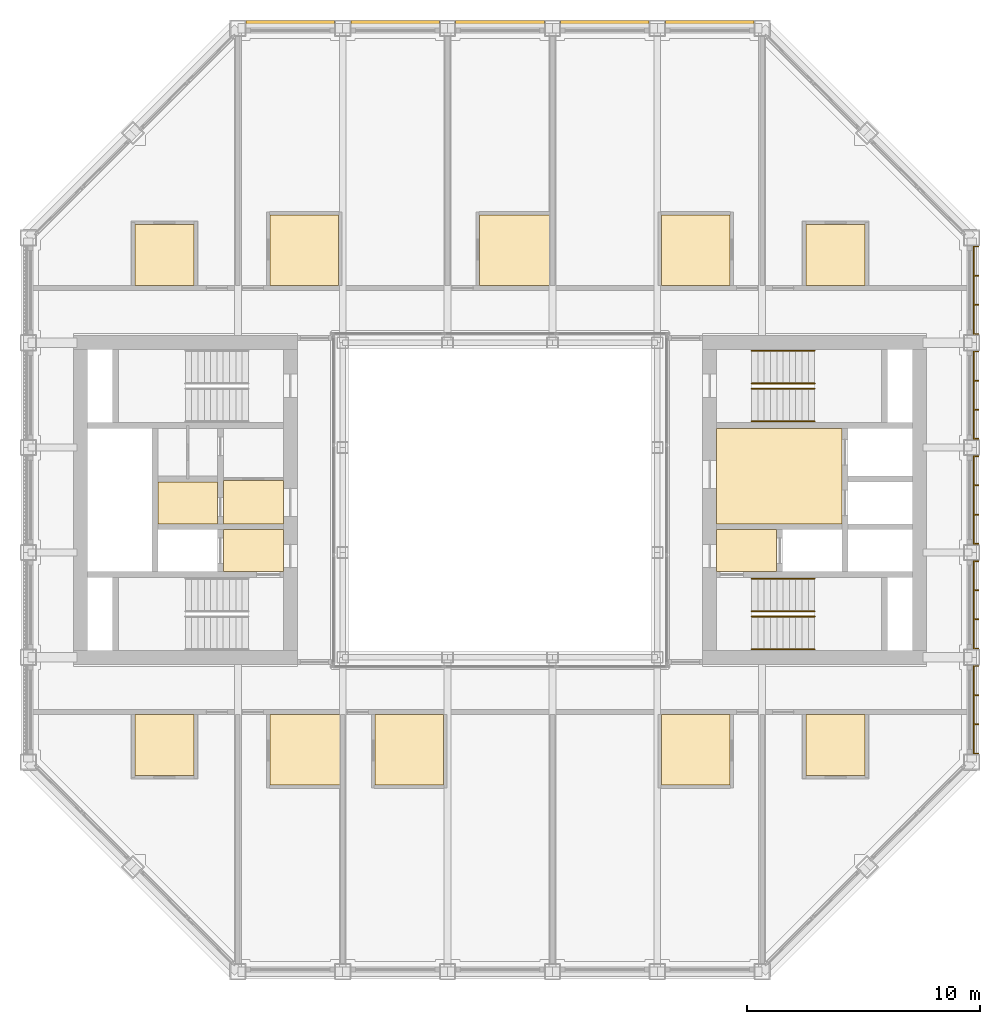
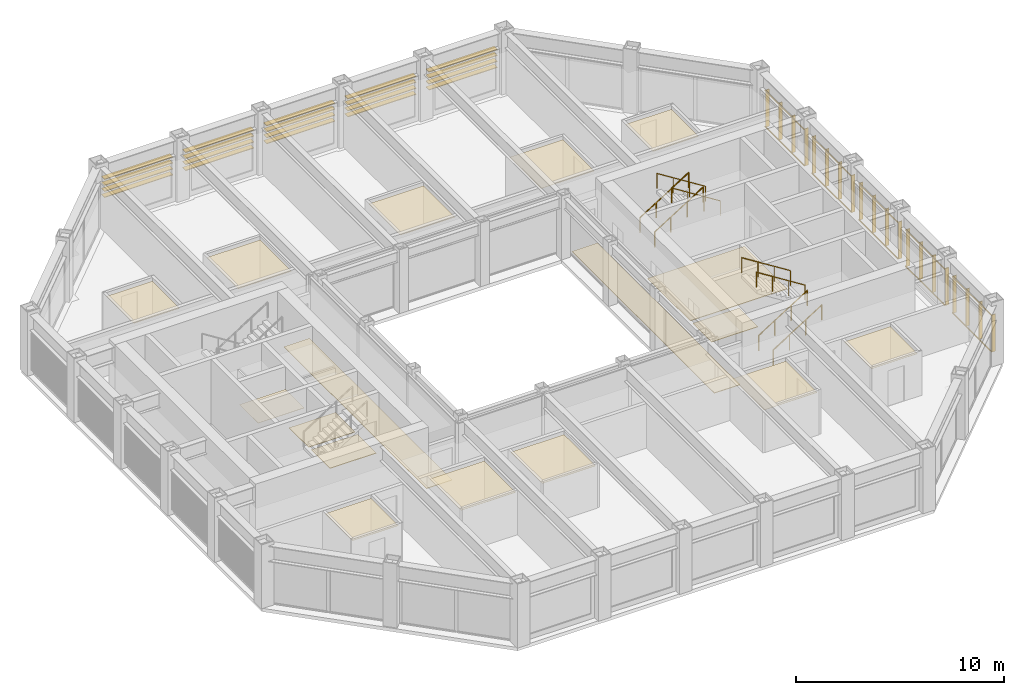
# One storey, part 16 of 16: 8 railings, 2 coverings, 2 shading devices.
"""IFC4 building model written with IfcOpenShell, lengths in metres."""

from ifc_helpers import new_model, si_unit, direction, frame, origin, origin_2d, place, context, subcontext, project, spatial, line, indexed_curve, rectangle, circle, outline, extrude, material, layer, layer_set, type_object, element, save


model = new_model("IFC4")

# Units and contexts
model_context = context("Model", 3, precision=1e-05, world=origin(), true_north=direction((0.0, 1.0)))
body_context = subcontext(model_context, "Body", "Model", "MODEL_VIEW")
ifc_project = project(units=[si_unit("LENGTHUNIT", "METRE"), si_unit("AREAUNIT", "SQUARE_METRE"), si_unit("VOLUMEUNIT", "CUBIC_METRE"), si_unit("PLANEANGLEUNIT", "RADIAN"), si_unit("MASSUNIT", "GRAM", prefix="KILO")], contexts=[model_context])

# Site, building, storey
site_placement = place(None, origin())
site = spatial("IfcSite", under=ifc_project, at=site_placement, CompositionType="ELEMENT")
building_placement = place(site_placement, origin())
building = spatial("IfcBuilding", under=site, at=building_placement, Name="Msasa Ring Tower", CompositionType="ELEMENT")
storey_placement = place(building_placement, frame((0.0, 0.0, 212.050048828125)))
storey = spatial("IfcBuildingStorey", under=building, at=storey_placement, Name="L55", CompositionType="ELEMENT", Elevation=212.050048828125)

# Shading device
ifc_material_1 = material(Name="Extruded terracotta on aluminium carriers", Category="masonry")
shading_device_type_1 = type_object("IfcShadingDeviceType", Name="BS2 TERRACOTTA FIN SCREEN 40x200 AT 1350", PredefinedType="USERDEFINED", material=ifc_material_1)
shading_device_1_placement = place(storey_placement, origin())
element("IfcShadingDevice", 1, at=shading_device_1_placement, inside=storey, type_object=shading_device_type_1, Name="Terracotta fin screen E L55", ObjectType="BAGUETTE", PredefinedType="USERDEFINED", context=body_context, shape_type="SweptSolid", body=[
    extrude(rectangle(XDim=0.06005859375, YDim=0.0400390625, at=origin_2d()), frame((20.330078125, -10.89990234375, 0.329833984375), z_axis=(0.0, 1.0, 0.0), x_axis=(0.0, 0.0, 1.0)), (0.0, 0.0, 1.0), 3.800048828125),
    extrude(rectangle(XDim=0.06005859375, YDim=0.0400390625, at=origin_2d()), frame((20.330078125, -10.89990234375, 2.448974609375), z_axis=(0.0, 1.0, 0.0), x_axis=(0.0, 0.0, 1.0)), (0.0, 0.0, 1.0), 3.800048828125),
    extrude(rectangle(XDim=0.0400390625, YDim=0.199951171875, at=origin_2d()), frame((20.445068359375, -10.8798828125, 0.300048828125), z_axis=(0.0, 0.0, 1.0), x_axis=(0.0, 1.0, 0.0)), (0.0, 0.0, 1.0), 2.178955078125),
    extrude(rectangle(XDim=0.0400390625, YDim=0.199951171875, at=origin_2d()), frame((20.445068359375, -9.626708984375, 0.300048828125), z_axis=(0.0, 0.0, 1.0), x_axis=(0.0, 1.0, 0.0)), (0.0, 0.0, 1.0), 2.178955078125),
    extrude(rectangle(XDim=0.0400390625, YDim=0.199951171875, at=origin_2d()), frame((20.445068359375, -8.373291015625, 0.300048828125), z_axis=(0.0, 0.0, 1.0), x_axis=(0.0, 1.0, 0.0)), (0.0, 0.0, 1.0), 2.178955078125),
    extrude(rectangle(XDim=0.0400390625, YDim=0.199951171875, at=origin_2d()), frame((20.445068359375, -7.1201171875, 0.300048828125), z_axis=(0.0, 0.0, 1.0), x_axis=(0.0, 1.0, 0.0)), (0.0, 0.0, 1.0), 2.178955078125),
    extrude(rectangle(XDim=0.06005859375, YDim=0.0400390625, at=origin_2d()), frame((20.330078125, -6.39990234375, 0.329833984375), z_axis=(0.0, 1.0, 0.0), x_axis=(0.0, 0.0, 1.0)), (0.0, 0.0, 1.0), 3.800048828125),
    extrude(rectangle(XDim=0.06005859375, YDim=0.0400390625, at=origin_2d()), frame((20.330078125, -6.39990234375, 2.448974609375), z_axis=(0.0, 1.0, 0.0), x_axis=(0.0, 0.0, 1.0)), (0.0, 0.0, 1.0), 3.800048828125),
    extrude(rectangle(XDim=0.0400390625, YDim=0.199951171875, at=origin_2d()), frame((20.445068359375, -6.3798828125, 0.300048828125), z_axis=(0.0, 0.0, 1.0), x_axis=(0.0, 1.0, 0.0)), (0.0, 0.0, 1.0), 2.178955078125),
    extrude(rectangle(XDim=0.0400390625, YDim=0.199951171875, at=origin_2d()), frame((20.445068359375, -5.126708984375, 0.300048828125), z_axis=(0.0, 0.0, 1.0), x_axis=(0.0, 1.0, 0.0)), (0.0, 0.0, 1.0), 2.178955078125),
    extrude(rectangle(XDim=0.0400390625, YDim=0.199951171875, at=origin_2d()), frame((20.445068359375, -3.873291015625, 0.300048828125), z_axis=(0.0, 0.0, 1.0), x_axis=(0.0, 1.0, 0.0)), (0.0, 0.0, 1.0), 2.178955078125),
    extrude(rectangle(XDim=0.0400390625, YDim=0.199951171875, at=origin_2d()), frame((20.445068359375, -2.6201171875, 0.300048828125), z_axis=(0.0, 0.0, 1.0), x_axis=(0.0, 1.0, 0.0)), (0.0, 0.0, 1.0), 2.178955078125),
    extrude(rectangle(XDim=0.06005859375, YDim=0.0400390625, at=origin_2d()), frame((20.330078125, -1.89990234375, 0.329833984375), z_axis=(0.0, 1.0, 0.0), x_axis=(0.0, 0.0, 1.0)), (0.0, 0.0, 1.0), 3.800048828125),
    extrude(rectangle(XDim=0.06005859375, YDim=0.0400390625, at=origin_2d()), frame((20.330078125, -1.89990234375, 2.448974609375), z_axis=(0.0, 1.0, 0.0), x_axis=(0.0, 0.0, 1.0)), (0.0, 0.0, 1.0), 3.800048828125),
    extrude(rectangle(XDim=0.0400390625, YDim=0.199951171875, at=origin_2d()), frame((20.445068359375, -1.8798828125, 0.300048828125), z_axis=(0.0, 0.0, 1.0), x_axis=(0.0, 1.0, 0.0)), (0.0, 0.0, 1.0), 2.178955078125),
    extrude(rectangle(XDim=0.0400390625, YDim=0.199951171875, at=origin_2d()), frame((20.445068359375, -0.626708984375, 0.300048828125), z_axis=(0.0, 0.0, 1.0), x_axis=(0.0, 1.0, 0.0)), (0.0, 0.0, 1.0), 2.178955078125),
    extrude(rectangle(XDim=0.0400390625, YDim=0.199951171875, at=origin_2d()), frame((20.445068359375, 0.626708984375, 0.300048828125), z_axis=(0.0, 0.0, 1.0), x_axis=(0.0, 1.0, 0.0)), (0.0, 0.0, 1.0), 2.178955078125),
    extrude(rectangle(XDim=0.0400390625, YDim=0.199951171875, at=origin_2d()), frame((20.445068359375, 1.8798828125, 0.300048828125), z_axis=(0.0, 0.0, 1.0), x_axis=(0.0, 1.0, 0.0)), (0.0, 0.0, 1.0), 2.178955078125),
    extrude(rectangle(XDim=0.06005859375, YDim=0.0400390625, at=origin_2d()), frame((20.330078125, 2.60009765625, 0.329833984375), z_axis=(0.0, 1.0, 0.0), x_axis=(0.0, 0.0, 1.0)), (0.0, 0.0, 1.0), 3.800048828125),
    extrude(rectangle(XDim=0.06005859375, YDim=0.0400390625, at=origin_2d()), frame((20.330078125, 2.60009765625, 2.448974609375), z_axis=(0.0, 1.0, 0.0), x_axis=(0.0, 0.0, 1.0)), (0.0, 0.0, 1.0), 3.800048828125),
    extrude(rectangle(XDim=0.0400390625, YDim=0.199951171875, at=origin_2d()), frame((20.445068359375, 2.6201171875, 0.300048828125), z_axis=(0.0, 0.0, 1.0), x_axis=(0.0, 1.0, 0.0)), (0.0, 0.0, 1.0), 2.178955078125),
    extrude(rectangle(XDim=0.0400390625, YDim=0.199951171875, at=origin_2d()), frame((20.445068359375, 3.873291015625, 0.300048828125), z_axis=(0.0, 0.0, 1.0), x_axis=(0.0, 1.0, 0.0)), (0.0, 0.0, 1.0), 2.178955078125),
    extrude(rectangle(XDim=0.0400390625, YDim=0.199951171875, at=origin_2d()), frame((20.445068359375, 5.126708984375, 0.300048828125), z_axis=(0.0, 0.0, 1.0), x_axis=(0.0, 1.0, 0.0)), (0.0, 0.0, 1.0), 2.178955078125),
    extrude(rectangle(XDim=0.0400390625, YDim=0.199951171875, at=origin_2d()), frame((20.445068359375, 6.3798828125, 0.300048828125), z_axis=(0.0, 0.0, 1.0), x_axis=(0.0, 1.0, 0.0)), (0.0, 0.0, 1.0), 2.178955078125),
    extrude(rectangle(XDim=0.06005859375, YDim=0.0400390625, at=origin_2d()), frame((20.330078125, 7.10009765625, 0.329833984375), z_axis=(0.0, 1.0, 0.0), x_axis=(0.0, 0.0, 1.0)), (0.0, 0.0, 1.0), 3.800048828125),
    extrude(rectangle(XDim=0.06005859375, YDim=0.0400390625, at=origin_2d()), frame((20.330078125, 7.10009765625, 2.448974609375), z_axis=(0.0, 1.0, 0.0), x_axis=(0.0, 0.0, 1.0)), (0.0, 0.0, 1.0), 3.800048828125),
    extrude(rectangle(XDim=0.0400390625, YDim=0.199951171875, at=origin_2d()), frame((20.445068359375, 7.1201171875, 0.300048828125), z_axis=(0.0, 0.0, 1.0), x_axis=(0.0, 1.0, 0.0)), (0.0, 0.0, 1.0), 2.178955078125),
    extrude(rectangle(XDim=0.0400390625, YDim=0.199951171875, at=origin_2d()), frame((20.445068359375, 8.373291015625, 0.300048828125), z_axis=(0.0, 0.0, 1.0), x_axis=(0.0, 1.0, 0.0)), (0.0, 0.0, 1.0), 2.178955078125),
    extrude(rectangle(XDim=0.0400390625, YDim=0.199951171875, at=origin_2d()), frame((20.445068359375, 9.626708984375, 0.300048828125), z_axis=(0.0, 0.0, 1.0), x_axis=(0.0, 1.0, 0.0)), (0.0, 0.0, 1.0), 2.178955078125),
    extrude(rectangle(XDim=0.0400390625, YDim=0.199951171875, at=origin_2d()), frame((20.445068359375, 10.8798828125, 0.300048828125), z_axis=(0.0, 0.0, 1.0), x_axis=(0.0, 1.0, 0.0)), (0.0, 0.0, 1.0), 2.178955078125),
])

# Coverings
ifc_material_2 = material(Name="Moisture-resistant gypsum plasterboard on a steel suspension grid", Category="steel")
ifc_layer_1 = layer(ifc_material_2, 0.014892578125)
ifc_layer_set_1 = layer_set([ifc_layer_1], Name="C2 MOISTURE-RESISTANT PLASTERBOARD CEILING 15")
covering_type_1 = type_object("IfcCoveringType", Name="C2 MOISTURE-RESISTANT PLASTERBOARD CEILING 15", PredefinedType="CEILING", material=ifc_layer_set_1)
covering_1_placement = place(storey_placement, frame((0.0, 0.0, 2.39990234375)))
element("IfcCovering", 2, at=covering_1_placement, inside=storey, type_object=covering_type_1, Name="Moisture-Resistant Plasterboard Ceiling 15 L55", PredefinedType="CEILING", context=body_context, shape_type="SweptSolid", body=[
    extrude(outline(indexed_curve([(-15.66943359375, -11.819580078125), (-15.66943359375, -9.200439453125), (-13.130615234375, -9.200439453125), (-13.130615234375, -11.819580078125)], segments=[line(1, 2, 3, 4, 1)], self_intersect=False)), origin(), (0.0, 0.0, 1.0), 0.01513671875),
    extrude(outline(indexed_curve([(-15.66943359375, 11.819580078125), (-13.130615234375, 11.819580078125), (-13.130615234375, 9.200439453125), (-15.66943359375, 9.200439453125)], segments=[line(1, 2, 3, 4, 1)], self_intersect=False)), origin(), (0.0, 0.0, 1.0), 0.01513671875),
    extrude(outline(indexed_curve([(-14.674560546875, 0.7744140625), (-12.12548828125, 0.7744140625), (-12.12548828125, -1.0244140625), (-14.674560546875, -1.0244140625)], segments=[line(1, 2, 3, 4, 1)], self_intersect=False)), origin(), (0.0, 0.0, 1.0), 0.01513671875),
    extrude(outline(indexed_curve([(-6.8505859375, -9.200439453125), (-6.8505859375, -12.224609375), (-9.87451171875, -12.224609375), (-9.87451171875, -9.200439453125)], segments=[line(1, 2, 3, 4, 1)], self_intersect=False)), origin(), (0.0, 0.0, 1.0), 0.01513671875),
    extrude(outline(indexed_curve([(-9.87451171875, 9.200439453125), (-9.87451171875, 12.224609375), (-6.925537109375, 12.224609375), (-6.925537109375, 9.200439453125)], segments=[line(1, 2, 3, 4, 1)], self_intersect=False)), origin(), (0.0, 0.0, 1.0), 0.01513671875),
    extrude(outline(indexed_curve([(-2.425537109375, -9.200439453125), (-2.425537109375, -12.224609375), (-5.37451171875, -12.224609375), (-5.37451171875, -9.200439453125)], segments=[line(1, 2, 3, 4, 1)], self_intersect=False)), origin(), (0.0, 0.0, 1.0), 0.01513671875),
    extrude(outline(indexed_curve([(2.1494140625, 9.200439453125), (-0.87451171875, 9.200439453125), (-0.87451171875, 12.224609375), (2.1494140625, 12.224609375)], segments=[line(1, 2, 3, 4, 1)], self_intersect=False)), origin(), (0.0, 0.0, 1.0), 0.01513671875),
    extrude(outline(indexed_curve([(9.87451171875, -9.200439453125), (9.87451171875, -12.224609375), (6.925537109375, -12.224609375), (6.925537109375, -9.200439453125)], segments=[line(1, 2, 3, 4, 1)], self_intersect=False)), origin(), (0.0, 0.0, 1.0), 0.01513671875),
    extrude(outline(indexed_curve([(6.925537109375, 9.200439453125), (6.925537109375, 12.224609375), (9.87451171875, 12.224609375), (9.87451171875, 9.200439453125)], segments=[line(1, 2, 3, 4, 1)], self_intersect=False)), origin(), (0.0, 0.0, 1.0), 0.01513671875),
    extrude(outline(indexed_curve([(13.130615234375, -9.200439453125), (15.66943359375, -9.200439453125), (15.66943359375, -11.819580078125), (13.130615234375, -11.819580078125)], segments=[line(1, 2, 3, 4, 1)], self_intersect=False)), origin(), (0.0, 0.0, 1.0), 0.01513671875),
    extrude(outline(indexed_curve([(13.130615234375, 9.200439453125), (13.130615234375, 11.819580078125), (15.66943359375, 11.819580078125), (15.66943359375, 9.200439453125)], segments=[line(1, 2, 3, 4, 1)], self_intersect=False)), origin(), (0.0, 0.0, 1.0), 0.01513671875),
])
ifc_material_3 = material(Name="Honed granite tiles on a mortar bed", Category="masonry")
ifc_layer_2 = layer(ifc_material_3, 0.030029296875)
ifc_layer_set_2 = layer_set([ifc_layer_2], Name="F1 HONED GRANITE ON BEDDING 30")
covering_type_2 = type_object("IfcCoveringType", Name="F1 HONED GRANITE ON BEDDING 30", PredefinedType="FLOORING", material=ifc_layer_set_2)
covering_2_placement = place(storey_placement, origin())
element("IfcCovering", 3, at=covering_2_placement, inside=storey, type_object=covering_type_2, Name="Honed Granite On Bedding 30 L55", PredefinedType="FLOORING", context=body_context, shape_type="SweptSolid", body=[
    extrude(outline(indexed_curve([(-11.87451171875, -3.074462890625), (-11.87451171875, -1.275390625), (-9.300537109375, -1.275390625), (-9.300537109375, -3.074462890625)], segments=[line(1, 2, 3, 4, 1)], self_intersect=False)), origin(), (0.0, 0.0, 1.0), 0.030029296875),
    extrude(outline(indexed_curve([(-11.87451171875, 0.844482421875), (-9.300537109375, 0.844482421875), (-9.300537109375, -1.0244140625), (-11.87451171875, -1.0244140625)], segments=[line(1, 2, 3, 4, 1)], self_intersect=False)), origin(), (0.0, 0.0, 1.0), 0.030029296875),
    extrude(outline(indexed_curve([(-8.699462890625, -6.849609375), (-8.699462890625, 6.849609375), (-7.280029296875, 6.849609375), (-7.280029296875, -6.849609375)], segments=[line(1, 2, 3, 4, 1)], self_intersect=False)), origin(), (0.0, 0.0, 1.0), 0.030029296875),
    extrude(outline(indexed_curve([(8.699462890625, 6.849609375), (8.699462890625, -6.849609375), (7.280029296875, -6.849609375), (7.280029296875, 6.849609375)], segments=[line(1, 2, 3, 4, 1)], self_intersect=False)), origin(), (0.0, 0.0, 1.0), 0.030029296875),
    extrude(outline(indexed_curve([(9.300537109375, -1.275390625), (11.87451171875, -1.275390625), (11.87451171875, -3.074462890625), (9.300537109375, -3.074462890625)], segments=[line(1, 2, 3, 4, 1)], self_intersect=False)), origin(), (0.0, 0.0, 1.0), 0.030029296875),
    extrude(outline(indexed_curve([(9.300537109375, 3.074462890625), (14.674560546875, 3.074462890625), (14.674560546875, -1.0244140625), (9.300537109375, -1.0244140625)], segments=[line(1, 2, 3, 4, 1)], self_intersect=False)), origin(), (0.0, 0.0, 1.0), 0.030029296875),
])

# Railings
ifc_material_4 = material(Name="Stainless steel", Category="steel")
railing_type = type_object("IfcRailingType", Name="HR1 HANDRAIL 900", PredefinedType="HANDRAIL", material=ifc_material_4)
for number, where, name in (
    (4, (10.800048828125, -6.39990234375, 0.17041015625), "Handrail stair SEA L55 1"),
    (5, (10.800048828125, -5.0, 0.17041015625), "Handrail stair SEA L55 2"),
):
    element("IfcRailing", number, at=place(storey_placement, frame(where)), inside=storey, type_object=railing_type, Name=name, PredefinedType="HANDRAIL", context=body_context, shape_type="SweptSolid", body=[
        extrude(circle(Radius=0.02392578125, at=origin_2d()), frame((0.0, 0.0, 0.8759765625), z_axis=(0.845579735284, 0.0, 0.533849146555), x_axis=(0.0, 1.0, 0.0)), (0.0, 0.0, 1.0), 3.193115234375),
        extrude(circle(Radius=0.02099609375, at=origin_2d()), origin(), (0.0, 0.0, 1.0), 0.851806640625),
        extrude(circle(Radius=0.02099609375, at=origin_2d()), frame((0.89990234375, 0.0, 0.568115234375)), (0.0, 0.0, 1.0), 0.851806640625),
        extrude(circle(Radius=0.02099609375, at=origin_2d()), frame((1.800048828125, 0.0, 1.136474609375)), (0.0, 0.0, 1.0), 0.851806640625),
        extrude(circle(Radius=0.02099609375, at=origin_2d()), frame((2.699951171875, 0.0, 1.70458984375)), (0.0, 0.0, 1.0), 0.851806640625),
    ])
for number, where, name in (
    (6, (13.5, -4.77490234375, 2.04541015625), "Handrail stair SEA L55 3"),
    (7, (13.5, -3.375, 2.04541015625), "Handrail stair SEA L55 4"),
):
    element("IfcRailing", number, at=place(storey_placement, frame(where)), inside=storey, type_object=railing_type, Name=name, PredefinedType="HANDRAIL", context=body_context, shape_type="SweptSolid", body=[
        extrude(circle(Radius=0.02392578125, at=origin_2d()), frame((0.0, 0.0, 0.8759765625), z_axis=(-0.845579735284, 0.0, 0.533849146555), x_axis=(0.0, -1.0, 0.0)), (0.0, 0.0, 1.0), 3.193115234375),
        extrude(circle(Radius=0.02099609375, at=origin_2d()), origin(), (0.0, 0.0, 1.0), 0.851806640625),
        extrude(circle(Radius=0.02099609375, at=origin_2d()), frame((-0.89990234375, 0.0, 0.568115234375)), (0.0, 0.0, 1.0), 0.851806640625),
        extrude(circle(Radius=0.02099609375, at=origin_2d()), frame((-1.800048828125, 0.0, 1.136474609375)), (0.0, 0.0, 1.0), 0.851806640625),
        extrude(circle(Radius=0.02099609375, at=origin_2d()), frame((-2.699951171875, 0.0, 1.70458984375)), (0.0, 0.0, 1.0), 0.851806640625),
    ])
for number, where, name in (
    (8, (10.800048828125, 5.0, 0.17041015625), "Handrail stair SEB L55 1"),
    (9, (10.800048828125, 6.39990234375, 0.17041015625), "Handrail stair SEB L55 2"),
):
    element("IfcRailing", number, at=place(storey_placement, frame(where)), inside=storey, type_object=railing_type, Name=name, PredefinedType="HANDRAIL", context=body_context, shape_type="SweptSolid", body=[
        extrude(circle(Radius=0.02392578125, at=origin_2d()), frame((0.0, 0.0, 0.8759765625), z_axis=(0.845579735284, 0.0, 0.533849146555), x_axis=(0.0, 1.0, 0.0)), (0.0, 0.0, 1.0), 3.193115234375),
        extrude(circle(Radius=0.02099609375, at=origin_2d()), origin(), (0.0, 0.0, 1.0), 0.851806640625),
        extrude(circle(Radius=0.02099609375, at=origin_2d()), frame((0.89990234375, 0.0, 0.568115234375)), (0.0, 0.0, 1.0), 0.851806640625),
        extrude(circle(Radius=0.02099609375, at=origin_2d()), frame((1.800048828125, 0.0, 1.136474609375)), (0.0, 0.0, 1.0), 0.851806640625),
        extrude(circle(Radius=0.02099609375, at=origin_2d()), frame((2.699951171875, 0.0, 1.70458984375)), (0.0, 0.0, 1.0), 0.851806640625),
    ])
for number, where, name in (
    (10, (13.5, 3.375, 2.04541015625), "Handrail stair SEB L55 3"),
    (11, (13.5, 4.77490234375, 2.04541015625), "Handrail stair SEB L55 4"),
):
    element("IfcRailing", number, at=place(storey_placement, frame(where)), inside=storey, type_object=railing_type, Name=name, PredefinedType="HANDRAIL", context=body_context, shape_type="SweptSolid", body=[
        extrude(circle(Radius=0.02392578125, at=origin_2d()), frame((0.0, 0.0, 0.8759765625), z_axis=(-0.845579735284, 0.0, 0.533849146555), x_axis=(0.0, -1.0, 0.0)), (0.0, 0.0, 1.0), 3.193115234375),
        extrude(circle(Radius=0.02099609375, at=origin_2d()), origin(), (0.0, 0.0, 1.0), 0.851806640625),
        extrude(circle(Radius=0.02099609375, at=origin_2d()), frame((-0.89990234375, 0.0, 0.568115234375)), (0.0, 0.0, 1.0), 0.851806640625),
        extrude(circle(Radius=0.02099609375, at=origin_2d()), frame((-1.800048828125, 0.0, 1.136474609375)), (0.0, 0.0, 1.0), 0.851806640625),
        extrude(circle(Radius=0.02099609375, at=origin_2d()), frame((-2.699951171875, 0.0, 1.70458984375)), (0.0, 0.0, 1.0), 0.851806640625),
    ])

# Shading device
ifc_material_5 = material(Name="Extruded terracotta blades", Category="masonry")
shading_device_type_2 = type_object("IfcShadingDeviceType", Name="SS1 TERRACOTTA SUNSHADE 4 BLADES 300x40 AT 350", PredefinedType="USERDEFINED", material=ifc_material_5)
shading_device_2_placement = place(storey_placement, origin())
element("IfcShadingDevice", 12, at=shading_device_2_placement, inside=storey, type_object=shading_device_type_2, Name="Terracotta sunshade N L55", ObjectType="SUNSHADE", PredefinedType="USERDEFINED", context=body_context, shape_type="SweptSolid", body=[
    extrude(rectangle(XDim=0.0400390625, YDim=0.300048828125, at=origin_2d()), frame((-10.89990234375, 20.429931640625, 2.458984375), z_axis=(1.0, 0.0, 0.0), x_axis=(0.0, 0.0, 1.0)), (0.0, 0.0, 1.0), 3.800048828125),
    extrude(rectangle(XDim=0.0400390625, YDim=0.300048828125, at=origin_2d()), frame((-10.89990234375, 20.429931640625, 2.10888671875), z_axis=(1.0, 0.0, 0.0), x_axis=(0.0, 0.0, 1.0)), (0.0, 0.0, 1.0), 3.800048828125),
    extrude(rectangle(XDim=0.0400390625, YDim=0.300048828125, at=origin_2d()), frame((-10.89990234375, 20.429931640625, 1.759033203125), z_axis=(1.0, 0.0, 0.0), x_axis=(0.0, 0.0, 1.0)), (0.0, 0.0, 1.0), 3.800048828125),
    extrude(rectangle(XDim=0.0400390625, YDim=0.300048828125, at=origin_2d()), frame((-10.89990234375, 20.429931640625, 1.408935546875), z_axis=(1.0, 0.0, 0.0), x_axis=(0.0, 0.0, 1.0)), (0.0, 0.0, 1.0), 3.800048828125),
    extrude(rectangle(XDim=0.0400390625, YDim=0.300048828125, at=origin_2d()), frame((-6.39990234375, 20.429931640625, 2.458984375), z_axis=(1.0, 0.0, 0.0), x_axis=(0.0, 0.0, 1.0)), (0.0, 0.0, 1.0), 3.800048828125),
    extrude(rectangle(XDim=0.0400390625, YDim=0.300048828125, at=origin_2d()), frame((-6.39990234375, 20.429931640625, 2.10888671875), z_axis=(1.0, 0.0, 0.0), x_axis=(0.0, 0.0, 1.0)), (0.0, 0.0, 1.0), 3.800048828125),
    extrude(rectangle(XDim=0.0400390625, YDim=0.300048828125, at=origin_2d()), frame((-6.39990234375, 20.429931640625, 1.759033203125), z_axis=(1.0, 0.0, 0.0), x_axis=(0.0, 0.0, 1.0)), (0.0, 0.0, 1.0), 3.800048828125),
    extrude(rectangle(XDim=0.0400390625, YDim=0.300048828125, at=origin_2d()), frame((-6.39990234375, 20.429931640625, 1.408935546875), z_axis=(1.0, 0.0, 0.0), x_axis=(0.0, 0.0, 1.0)), (0.0, 0.0, 1.0), 3.800048828125),
    extrude(rectangle(XDim=0.0400390625, YDim=0.300048828125, at=origin_2d()), frame((-1.89990234375, 20.429931640625, 2.458984375), z_axis=(1.0, 0.0, 0.0), x_axis=(0.0, 0.0, 1.0)), (0.0, 0.0, 1.0), 3.800048828125),
    extrude(rectangle(XDim=0.0400390625, YDim=0.300048828125, at=origin_2d()), frame((-1.89990234375, 20.429931640625, 2.10888671875), z_axis=(1.0, 0.0, 0.0), x_axis=(0.0, 0.0, 1.0)), (0.0, 0.0, 1.0), 3.800048828125),
    extrude(rectangle(XDim=0.0400390625, YDim=0.300048828125, at=origin_2d()), frame((-1.89990234375, 20.429931640625, 1.759033203125), z_axis=(1.0, 0.0, 0.0), x_axis=(0.0, 0.0, 1.0)), (0.0, 0.0, 1.0), 3.800048828125),
    extrude(rectangle(XDim=0.0400390625, YDim=0.300048828125, at=origin_2d()), frame((-1.89990234375, 20.429931640625, 1.408935546875), z_axis=(1.0, 0.0, 0.0), x_axis=(0.0, 0.0, 1.0)), (0.0, 0.0, 1.0), 3.800048828125),
    extrude(rectangle(XDim=0.0400390625, YDim=0.300048828125, at=origin_2d()), frame((2.60009765625, 20.429931640625, 2.458984375), z_axis=(1.0, 0.0, 0.0), x_axis=(0.0, 0.0, 1.0)), (0.0, 0.0, 1.0), 3.800048828125),
    extrude(rectangle(XDim=0.0400390625, YDim=0.300048828125, at=origin_2d()), frame((2.60009765625, 20.429931640625, 2.10888671875), z_axis=(1.0, 0.0, 0.0), x_axis=(0.0, 0.0, 1.0)), (0.0, 0.0, 1.0), 3.800048828125),
    extrude(rectangle(XDim=0.0400390625, YDim=0.300048828125, at=origin_2d()), frame((2.60009765625, 20.429931640625, 1.759033203125), z_axis=(1.0, 0.0, 0.0), x_axis=(0.0, 0.0, 1.0)), (0.0, 0.0, 1.0), 3.800048828125),
    extrude(rectangle(XDim=0.0400390625, YDim=0.300048828125, at=origin_2d()), frame((2.60009765625, 20.429931640625, 1.408935546875), z_axis=(1.0, 0.0, 0.0), x_axis=(0.0, 0.0, 1.0)), (0.0, 0.0, 1.0), 3.800048828125),
    extrude(rectangle(XDim=0.0400390625, YDim=0.300048828125, at=origin_2d()), frame((7.10009765625, 20.429931640625, 2.458984375), z_axis=(1.0, 0.0, 0.0), x_axis=(0.0, 0.0, 1.0)), (0.0, 0.0, 1.0), 3.800048828125),
    extrude(rectangle(XDim=0.0400390625, YDim=0.300048828125, at=origin_2d()), frame((7.10009765625, 20.429931640625, 2.10888671875), z_axis=(1.0, 0.0, 0.0), x_axis=(0.0, 0.0, 1.0)), (0.0, 0.0, 1.0), 3.800048828125),
    extrude(rectangle(XDim=0.0400390625, YDim=0.300048828125, at=origin_2d()), frame((7.10009765625, 20.429931640625, 1.759033203125), z_axis=(1.0, 0.0, 0.0), x_axis=(0.0, 0.0, 1.0)), (0.0, 0.0, 1.0), 3.800048828125),
    extrude(rectangle(XDim=0.0400390625, YDim=0.300048828125, at=origin_2d()), frame((7.10009765625, 20.429931640625, 1.408935546875), z_axis=(1.0, 0.0, 0.0), x_axis=(0.0, 0.0, 1.0)), (0.0, 0.0, 1.0), 3.800048828125),
])

save(model, "model.ifc")
